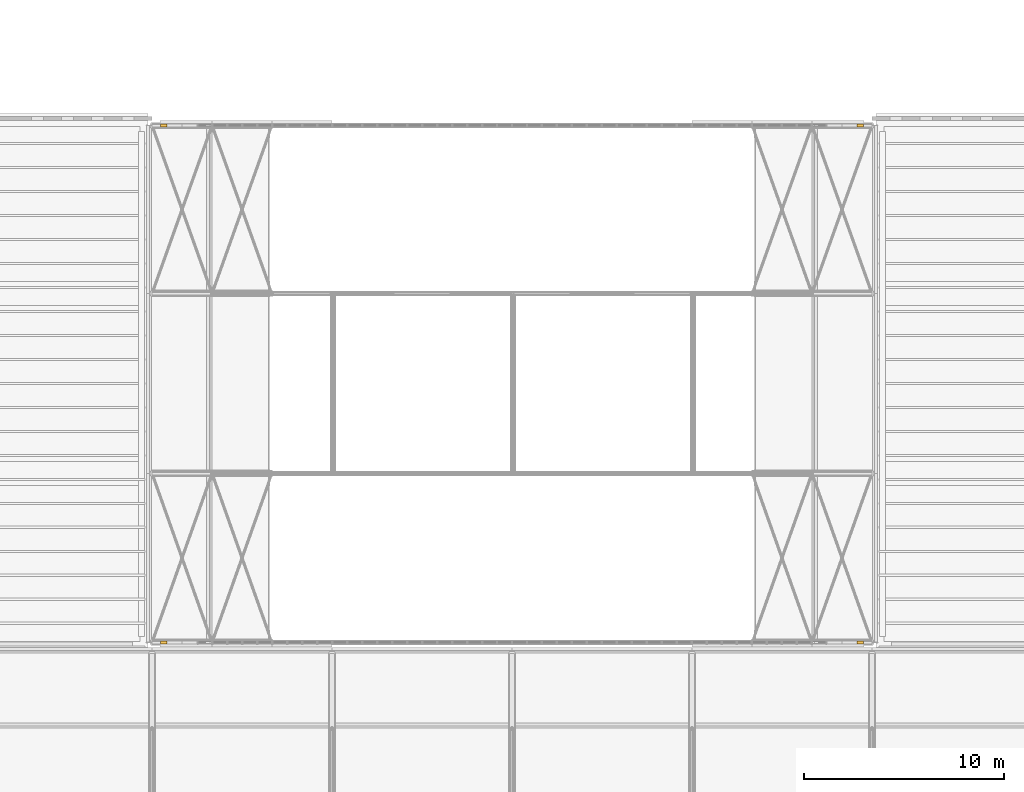
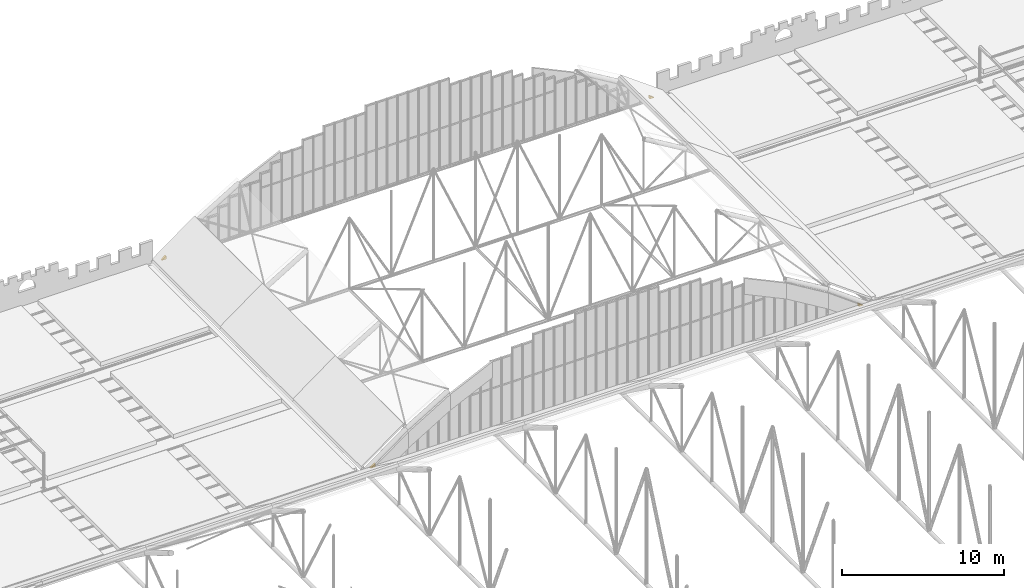
# One storey, part 151 of 153: 4 coverings.
"""IFC4 building model written with IfcOpenShell, lengths in metres."""

from ifc_helpers import new_model, si_unit, direction, frame, origin, place, context, subcontext, project, spatial, polyline, outline, extrude, material, layer, layer_set, type_object, element, save


model = new_model("IFC4")

# Units and contexts
model_context = context("Model", 3, precision=1e-05, world=origin(), true_north=direction((0.0, 1.0)))
body_context = subcontext(model_context, "Body", "Model", "MODEL_VIEW")
ifc_project = project(units=[si_unit("LENGTHUNIT", "METRE"), si_unit("AREAUNIT", "SQUARE_METRE"), si_unit("VOLUMEUNIT", "CUBIC_METRE"), si_unit("PLANEANGLEUNIT", "RADIAN"), si_unit("MASSUNIT", "GRAM", prefix="KILO")], contexts=[model_context])

# Site, building, storey
site_placement = place(None, origin())
site = spatial("IfcSite", under=ifc_project, at=site_placement, CompositionType="ELEMENT")
building_placement = place(site_placement, origin())
building = spatial("IfcBuilding", under=site, at=building_placement, Name="Baradari Gate Terminus", CompositionType="ELEMENT")
storey_placement = place(building_placement, frame((0.0, 0.0, 11.699951171875)))
storey = spatial("IfcBuildingStorey", under=building, at=storey_placement, Name="L02", CompositionType="ELEMENT", Elevation=11.699951171875)

# Coverings
ifc_material = material(Name="Sandstone", Category="masonry")
ifc_layer = layer(ifc_material, 0.14990234375)
ifc_layer_set = layer_set([ifc_layer], Name="Sandstone")
covering_type = type_object("IfcCoveringType", Name="Hall gable spring infill", PredefinedType="CLADDING", material=ifc_layer_set)
covering_1_placement = place(storey_placement, frame((135.0, 81.550048828125, 0.234619140625), z_axis=(0.0, 0.0, 1.0), x_axis=(1.0, 0.0, 0.0)))
element("IfcCovering", 1, at=covering_1_placement, inside=storey, type_object=covering_type, Name="Hall gable spring infill S1", PredefinedType="CLADDING", context=body_context, shape_type="SweptSolid", body=[
    extrude(outline(polyline([(0.427001953125, 0.0), (0.75, 0.0), (0.75, 0.23681640625), (0.427001953125, 0.0)])), frame((0.0, 0.074951171875, 0.0), z_axis=(0.0, -1.0, 0.0), x_axis=(1.0, 0.0, 0.0)), (0.0, 0.0, 1.0), 0.14990234375),
])
covering_2_placement = place(storey_placement, frame((170.25, 81.550048828125, 0.234619140625), z_axis=(0.0, 0.0, 1.0), x_axis=(1.0, 0.0, 0.0)))
element("IfcCovering", 2, at=covering_2_placement, inside=storey, type_object=covering_type, Name="Hall gable spring infill S48", PredefinedType="CLADDING", context=body_context, shape_type="SweptSolid", body=[
    extrude(outline(polyline([(0.0, 0.0), (0.322998046875, 0.0), (0.0, 0.23681640625), (0.0, 0.0)])), frame((0.0, 0.074951171875, 0.0), z_axis=(0.0, -1.0, 0.0), x_axis=(1.0, 0.0, 0.0)), (0.0, 0.0, 1.0), 0.14990234375),
])
covering_3_placement = place(storey_placement, frame((135.0, 107.39990234375, 0.234619140625), z_axis=(0.0, 0.0, 1.0), x_axis=(1.0, 0.0, 0.0)))
element("IfcCovering", 3, at=covering_3_placement, inside=storey, type_object=covering_type, Name="Hall gable spring infill N1", PredefinedType="CLADDING", context=body_context, shape_type="SweptSolid", body=[
    extrude(outline(polyline([(0.427001953125, 0.0), (0.75, 0.0), (0.75, 0.23681640625), (0.427001953125, 0.0)])), frame((0.0, 0.074951171875, 0.0), z_axis=(0.0, -1.0, 0.0), x_axis=(1.0, 0.0, 0.0)), (0.0, 0.0, 1.0), 0.14990234375),
])
covering_4_placement = place(storey_placement, frame((170.25, 107.39990234375, 0.234619140625), z_axis=(0.0, 0.0, 1.0), x_axis=(1.0, 0.0, 0.0)))
element("IfcCovering", 4, at=covering_4_placement, inside=storey, type_object=covering_type, Name="Hall gable spring infill N48", PredefinedType="CLADDING", context=body_context, shape_type="SweptSolid", body=[
    extrude(outline(polyline([(0.0, 0.0), (0.322998046875, 0.0), (0.0, 0.23681640625), (0.0, 0.0)])), frame((0.0, 0.074951171875, 0.0), z_axis=(0.0, -1.0, 0.0), x_axis=(1.0, 0.0, 0.0)), (0.0, 0.0, 1.0), 0.14990234375),
])

save(model, "model.ifc")
